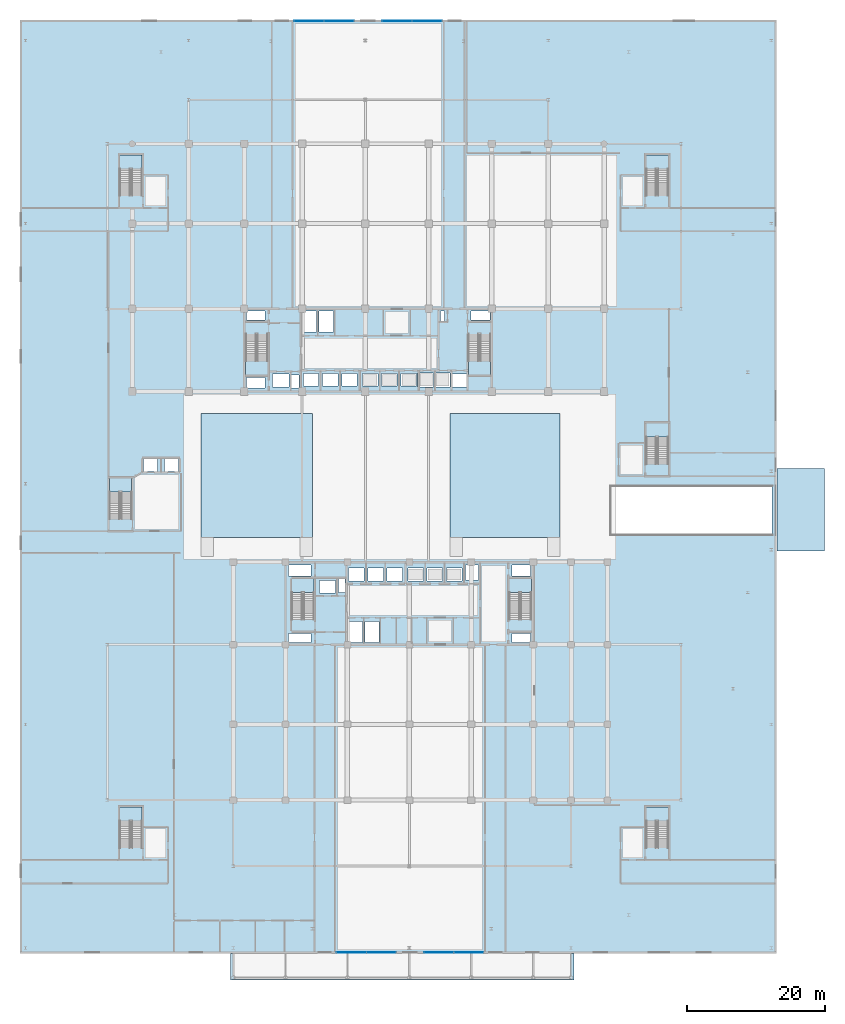
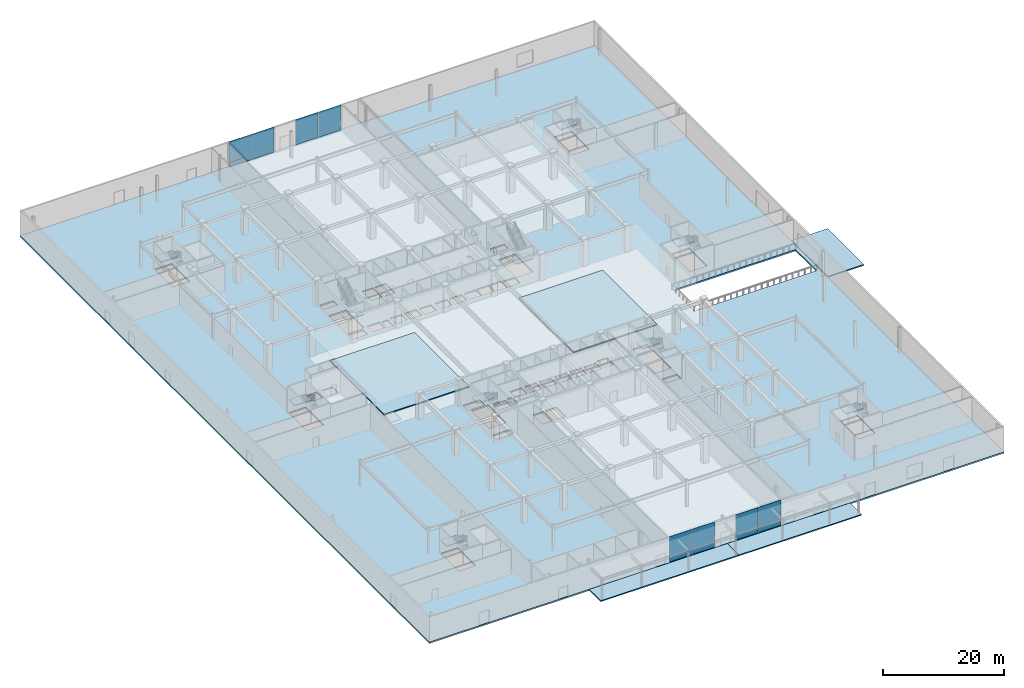
# One storey, part 19 of 46: 16 plates, 16 slabs, 14 elements without a shape of their own.
"""IFC4 building model written with IfcOpenShell, lengths in metres."""

from ifc_helpers import new_model, si_unit, direction, frame, origin, origin_2d, place, context, subcontext, project, spatial, polyline, rectangle, outline, extrude, material, layer, layer_set, type_object, element, aggregate, save


model = new_model("IFC4")

# Units and contexts
model_context = context("Model", 3, precision=1e-05, world=origin(), true_north=direction((0.0, 1.0)))
body_context = subcontext(model_context, "Body", "Model", "MODEL_VIEW")
ifc_project = project(units=[si_unit("LENGTHUNIT", "METRE"), si_unit("AREAUNIT", "SQUARE_METRE"), si_unit("VOLUMEUNIT", "CUBIC_METRE"), si_unit("PLANEANGLEUNIT", "RADIAN"), si_unit("MASSUNIT", "GRAM", prefix="KILO")], contexts=[model_context])

# Site, building, storey
site_placement = place(None, origin())
site = spatial("IfcSite", under=ifc_project, at=site_placement, CompositionType="ELEMENT")
building_placement = place(site_placement, origin())
building = spatial("IfcBuilding", under=site, at=building_placement, Name="Korimba Cascade Residences", CompositionType="ELEMENT")
storey_placement = place(building_placement, origin())
storey = spatial("IfcBuildingStorey", under=building, at=storey_placement, Name="L00", CompositionType="ELEMENT", Elevation=0.0)

# Curtain wall, plates
ifc_material_1 = material(Name="Anodised Aluminium Curtain Wall Framing", Category="aluminium")
ifc_layer_1 = layer(ifc_material_1, 0.179931640625)
ifc_layer_set_1 = layer_set([ifc_layer_1], Name="Anodised Aluminium Curtain Wall Framing")
curtain_wall_type = type_object("IfcCurtainWallType", Name="CW-POD-SYS1", PredefinedType="NOTDEFINED", material=ifc_layer_set_1)
curtain_wall_1_placement = place(storey_placement, origin())
curtain_wall_1 = element("IfcCurtainWall", 1, at=curtain_wall_1_placement, inside=storey, type_object=curtain_wall_type, Name="L00 Curtain Wall CW-L00-POD-S1", PredefinedType="NOTDEFINED")
ifc_material_2 = material(Name="Insulated Stone-Tone Spandrel Panel", Category="masonry")
ifc_layer_2 = layer(ifc_material_2, 0.0400390625)
ifc_layer_set_2 = layer_set([ifc_layer_2], Name="Insulated Stone-Tone Spandrel Panel")
plate_type_1 = type_object("IfcPlateType", Name="CWP-SPN-40", PredefinedType="USERDEFINED", material=ifc_layer_set_2)
plate_1_placement = place(storey_placement, frame((91.695068359375, -26.35009765625, 0.0), z_axis=(0.0, 0.0, 1.0), x_axis=(1.0, 0.0, 0.0)))
plate_1 = element("IfcPlate", 2, at=plate_1_placement, type_object=plate_type_1, Name="CW-L00-POD-S1 Spandrel Panel 1", ObjectType="SPANDREL", PredefinedType="USERDEFINED", context=body_context, shape_type="SweptSolid", body=[
    extrude(rectangle(XDim=4.260009765625, YDim=0.0400390625, at=origin_2d()), origin(), (0.0, 0.0, 1.0), 0.89990234375),
])
plate_2_placement = place(storey_placement, frame((96.0048828125, -26.35009765625, 0.0), z_axis=(0.0, 0.0, 1.0), x_axis=(1.0, 0.0, 0.0)))
plate_2 = element("IfcPlate", 3, at=plate_2_placement, type_object=plate_type_1, Name="CW-L00-POD-S1 Spandrel Panel 2", ObjectType="SPANDREL", PredefinedType="USERDEFINED", context=body_context, shape_type="SweptSolid", body=[
    extrude(rectangle(XDim=4.260009765625, YDim=0.0400390625, at=origin_2d()), origin(), (0.0, 0.0, 1.0), 0.89990234375),
])

curtain_wall_2_placement = place(storey_placement, origin())
curtain_wall_2 = element("IfcCurtainWall", 4, at=curtain_wall_2_placement, inside=storey, type_object=curtain_wall_type, Name="L00 Curtain Wall CW-L00-POD-S2", PredefinedType="NOTDEFINED")
plate_3_placement = place(storey_placement, frame((104.39501953125, -26.35009765625, 0.0), z_axis=(0.0, 0.0, 1.0), x_axis=(1.0, 0.0, 0.0)))
plate_3 = element("IfcPlate", 5, at=plate_3_placement, type_object=plate_type_1, Name="CW-L00-POD-S2 Spandrel Panel 1", ObjectType="SPANDREL", PredefinedType="USERDEFINED", context=body_context, shape_type="SweptSolid", body=[
    extrude(rectangle(XDim=4.260009765625, YDim=0.0400390625, at=origin_2d()), origin(), (0.0, 0.0, 1.0), 0.89990234375),
])
plate_4_placement = place(storey_placement, frame((108.705078125, -26.35009765625, 0.0), z_axis=(0.0, 0.0, 1.0), x_axis=(1.0, 0.0, 0.0)))
plate_4 = element("IfcPlate", 6, at=plate_4_placement, type_object=plate_type_1, Name="CW-L00-POD-S2 Spandrel Panel 2", ObjectType="SPANDREL", PredefinedType="USERDEFINED", context=body_context, shape_type="SweptSolid", body=[
    extrude(rectangle(XDim=4.260009765625, YDim=0.0400390625, at=origin_2d()), origin(), (0.0, 0.0, 1.0), 0.89990234375),
])

curtain_wall_3_placement = place(storey_placement, origin())
curtain_wall_3 = element("IfcCurtainWall", 7, at=curtain_wall_3_placement, inside=storey, type_object=curtain_wall_type, Name="L00 Curtain Wall CW-L00-POD-N1", PredefinedType="NOTDEFINED")
plate_5_placement = place(storey_placement, frame((102.679931640625, 109.050048828125, 0.0), z_axis=(0.0, 0.0, 1.0), x_axis=(-1.0, 0.0, 0.0)))
plate_5 = element("IfcPlate", 8, at=plate_5_placement, type_object=plate_type_1, Name="CW-L00-POD-N1 Spandrel Panel 1", ObjectType="SPANDREL", PredefinedType="USERDEFINED", context=body_context, shape_type="SweptSolid", body=[
    extrude(rectangle(XDim=4.31005859375, YDim=0.0400390625, at=origin_2d()), origin(), (0.0, 0.0, 1.0), 0.89990234375),
])
plate_6_placement = place(storey_placement, frame((98.320068359375, 109.050048828125, 0.0), z_axis=(0.0, 0.0, 1.0), x_axis=(-1.0, 0.0, 0.0)))
plate_6 = element("IfcPlate", 9, at=plate_6_placement, type_object=plate_type_1, Name="CW-L00-POD-N1 Spandrel Panel 2", ObjectType="SPANDREL", PredefinedType="USERDEFINED", context=body_context, shape_type="SweptSolid", body=[
    extrude(rectangle(XDim=4.31005859375, YDim=0.0400390625, at=origin_2d()), origin(), (0.0, 0.0, 1.0), 0.89990234375),
])

curtain_wall_4_placement = place(storey_placement, origin())
curtain_wall_4 = element("IfcCurtainWall", 10, at=curtain_wall_4_placement, inside=storey, type_object=curtain_wall_type, Name="L00 Curtain Wall CW-L00-POD-N2", PredefinedType="NOTDEFINED")
plate_7_placement = place(storey_placement, frame((89.8798828125, 109.050048828125, 0.0), z_axis=(0.0, 0.0, 1.0), x_axis=(-1.0, 0.0, 0.0)))
plate_7 = element("IfcPlate", 11, at=plate_7_placement, type_object=plate_type_1, Name="CW-L00-POD-N2 Spandrel Panel 1", ObjectType="SPANDREL", PredefinedType="USERDEFINED", context=body_context, shape_type="SweptSolid", body=[
    extrude(rectangle(XDim=4.31005859375, YDim=0.0400390625, at=origin_2d()), origin(), (0.0, 0.0, 1.0), 0.89990234375),
])
plate_8_placement = place(storey_placement, frame((85.52001953125, 109.050048828125, 0.0), z_axis=(0.0, 0.0, 1.0), x_axis=(-1.0, 0.0, 0.0)))
plate_8 = element("IfcPlate", 12, at=plate_8_placement, type_object=plate_type_1, Name="CW-L00-POD-N2 Spandrel Panel 2", ObjectType="SPANDREL", PredefinedType="USERDEFINED", context=body_context, shape_type="SweptSolid", body=[
    extrude(rectangle(XDim=4.31005859375, YDim=0.0400390625, at=origin_2d()), origin(), (0.0, 0.0, 1.0), 0.89990234375),
])

# Plate
ifc_material_3 = material(Name="Low-E Double Glazing Unit", Category="glass")
ifc_layer_3 = layer(ifc_material_3, 0.028076171875)
ifc_layer_set_3 = layer_set([ifc_layer_3], Name="Low-E Double Glazing Unit")
plate_type_2 = type_object("IfcPlateType", Name="CWP-VIS-28", PredefinedType="CURTAIN_PANEL", material=ifc_layer_set_3)
plate_9_placement = place(storey_placement, frame((91.695068359375, -26.35009765625, 0.89990234375), z_axis=(0.0, 0.0, 1.0), x_axis=(1.0, 0.0, 0.0)))
plate_9 = element("IfcPlate", 13, at=plate_9_placement, type_object=plate_type_2, Name="CW-L00-POD-S1 Vision Glass Panel 1", PredefinedType="CURTAIN_PANEL", context=body_context, shape_type="SweptSolid", body=[
    extrude(rectangle(XDim=4.260009765625, YDim=0.028076171875, at=origin_2d()), origin(), (0.0, 0.0, 1.0), 4.199951171875),
])

plate_10_placement = place(storey_placement, frame((96.0048828125, -26.35009765625, 0.89990234375), z_axis=(0.0, 0.0, 1.0), x_axis=(1.0, 0.0, 0.0)))
plate_10 = element("IfcPlate", 14, at=plate_10_placement, type_object=plate_type_2, Name="CW-L00-POD-S1 Vision Glass Panel 2", PredefinedType="CURTAIN_PANEL", context=body_context, shape_type="SweptSolid", body=[
    extrude(rectangle(XDim=4.260009765625, YDim=0.028076171875, at=origin_2d()), origin(), (0.0, 0.0, 1.0), 4.199951171875),
])

aggregate(curtain_wall_1, [plate_1, plate_9, plate_2, plate_10])

plate_11_placement = place(storey_placement, frame((104.39501953125, -26.35009765625, 0.89990234375), z_axis=(0.0, 0.0, 1.0), x_axis=(1.0, 0.0, 0.0)))
plate_11 = element("IfcPlate", 15, at=plate_11_placement, type_object=plate_type_2, Name="CW-L00-POD-S2 Vision Glass Panel 1", PredefinedType="CURTAIN_PANEL", context=body_context, shape_type="SweptSolid", body=[
    extrude(rectangle(XDim=4.260009765625, YDim=0.028076171875, at=origin_2d()), origin(), (0.0, 0.0, 1.0), 4.199951171875),
])

plate_12_placement = place(storey_placement, frame((108.705078125, -26.35009765625, 0.89990234375), z_axis=(0.0, 0.0, 1.0), x_axis=(1.0, 0.0, 0.0)))
plate_12 = element("IfcPlate", 16, at=plate_12_placement, type_object=plate_type_2, Name="CW-L00-POD-S2 Vision Glass Panel 2", PredefinedType="CURTAIN_PANEL", context=body_context, shape_type="SweptSolid", body=[
    extrude(rectangle(XDim=4.260009765625, YDim=0.028076171875, at=origin_2d()), origin(), (0.0, 0.0, 1.0), 4.199951171875),
])

aggregate(curtain_wall_2, [plate_3, plate_11, plate_4, plate_12])

plate_13_placement = place(storey_placement, frame((102.679931640625, 109.050048828125, 0.89990234375), z_axis=(0.0, 0.0, 1.0), x_axis=(-1.0, 0.0, 0.0)))
plate_13 = element("IfcPlate", 17, at=plate_13_placement, type_object=plate_type_2, Name="CW-L00-POD-N1 Vision Glass Panel 1", PredefinedType="CURTAIN_PANEL", context=body_context, shape_type="SweptSolid", body=[
    extrude(rectangle(XDim=4.31005859375, YDim=0.028076171875, at=origin_2d()), origin(), (0.0, 0.0, 1.0), 4.199951171875),
])

plate_14_placement = place(storey_placement, frame((98.320068359375, 109.050048828125, 0.89990234375), z_axis=(0.0, 0.0, 1.0), x_axis=(-1.0, 0.0, 0.0)))
plate_14 = element("IfcPlate", 18, at=plate_14_placement, type_object=plate_type_2, Name="CW-L00-POD-N1 Vision Glass Panel 2", PredefinedType="CURTAIN_PANEL", context=body_context, shape_type="SweptSolid", body=[
    extrude(rectangle(XDim=4.31005859375, YDim=0.028076171875, at=origin_2d()), origin(), (0.0, 0.0, 1.0), 4.199951171875),
])

aggregate(curtain_wall_3, [plate_5, plate_13, plate_6, plate_14])

plate_15_placement = place(storey_placement, frame((89.8798828125, 109.050048828125, 0.89990234375), z_axis=(0.0, 0.0, 1.0), x_axis=(-1.0, 0.0, 0.0)))
plate_15 = element("IfcPlate", 19, at=plate_15_placement, type_object=plate_type_2, Name="CW-L00-POD-N2 Vision Glass Panel 1", PredefinedType="CURTAIN_PANEL", context=body_context, shape_type="SweptSolid", body=[
    extrude(rectangle(XDim=4.31005859375, YDim=0.028076171875, at=origin_2d()), origin(), (0.0, 0.0, 1.0), 4.199951171875),
])

plate_16_placement = place(storey_placement, frame((85.52001953125, 109.050048828125, 0.89990234375), z_axis=(0.0, 0.0, 1.0), x_axis=(-1.0, 0.0, 0.0)))
plate_16 = element("IfcPlate", 20, at=plate_16_placement, type_object=plate_type_2, Name="CW-L00-POD-N2 Vision Glass Panel 2", PredefinedType="CURTAIN_PANEL", context=body_context, shape_type="SweptSolid", body=[
    extrude(rectangle(XDim=4.31005859375, YDim=0.028076171875, at=origin_2d()), origin(), (0.0, 0.0, 1.0), 4.199951171875),
])

aggregate(curtain_wall_4, [plate_7, plate_15, plate_8, plate_16])

# Stair, slab
ifc_material_4 = material(Name="Concrete C50/60", Category="concrete")
stair_type_1 = type_object("IfcStairType", Name="STR-W1-30R-1800", PredefinedType="HALF_TURN_STAIR", material=ifc_material_4)
stair_1_placement = place(storey_placement, origin())
stair_1 = element("IfcStair", 21, at=stair_1_placement, inside=storey, type_object=stair_type_1, Name="L00 Tower 1 West Fire Stair ST-W1", PredefinedType="HALF_TURN_STAIR")
ifc_layer_4 = layer(ifc_material_4, 0.199951171875)
ifc_layer_set_4 = layer_set([ifc_layer_4], Name="Concrete C50/60")
slab_type_1 = type_object("IfcSlabType", Name="SLB-LND-220", PredefinedType="LANDING", material=ifc_layer_set_4)
slab_1_placement = place(storey_placement, frame((0.0, 0.0, 2.5)))
slab_1 = element("IfcSlab", 22, at=slab_1_placement, type_object=slab_type_1, Name="ST-W1 landing 1", PredefinedType="LANDING", context=body_context, shape_type="SweptSolid", body=[
    extrude(outline(polyline([(76.300048828125, 59.6298828125), (76.300048828125, 57.60009765625), (79.5400390625, 57.60009765625), (79.5400390625, 59.6298828125), (76.300048828125, 59.6298828125)])), origin(), (0.0, 0.0, 1.0), 0.199951171875),
])
aggregate(stair_1, [slab_1])

stair_type_2 = type_object("IfcStairType", Name="STR-W2-30R-1800", PredefinedType="HALF_TURN_STAIR", material=ifc_material_4)
stair_2_placement = place(storey_placement, origin())
stair_2 = element("IfcStair", 23, at=stair_2_placement, inside=storey, type_object=stair_type_2, Name="L00 Tower 1 East Fire Stair ST-W2", PredefinedType="HALF_TURN_STAIR")
slab_2_placement = place(storey_placement, frame((0.0, 0.0, 2.5)))
slab_2 = element("IfcSlab", 24, at=slab_2_placement, type_object=slab_type_1, Name="ST-W2 landing 1", PredefinedType="LANDING", context=body_context, shape_type="SweptSolid", body=[
    extrude(outline(polyline([(108.659912109375, 59.6298828125), (108.659912109375, 57.60009765625), (111.89990234375, 57.60009765625), (111.89990234375, 59.6298828125), (108.659912109375, 59.6298828125)])), origin(), (0.0, 0.0, 1.0), 0.199951171875),
])
aggregate(stair_2, [slab_2])

stair_type_3 = type_object("IfcStairType", Name="STR-E1-30R-1800", PredefinedType="HALF_TURN_STAIR", material=ifc_material_4)
stair_3_placement = place(storey_placement, origin())
stair_3 = element("IfcStair", 25, at=stair_3_placement, inside=storey, type_object=stair_type_3, Name="L00 Tower 2 West Fire Stair ST-E1", PredefinedType="HALF_TURN_STAIR")
slab_3_placement = place(storey_placement, frame((0.0, 0.0, 2.5)))
slab_3 = element("IfcSlab", 26, at=slab_3_placement, type_object=slab_type_1, Name="ST-E1 landing 1", PredefinedType="LANDING", context=body_context, shape_type="SweptSolid", body=[
    extrude(outline(polyline([(86.239990234375, 25.969970703125), (86.239990234375, 28.0), (83.0, 28.0), (83.0, 25.969970703125), (86.239990234375, 25.969970703125)])), origin(), (0.0, 0.0, 1.0), 0.199951171875),
])
aggregate(stair_3, [slab_3])

stair_type_4 = type_object("IfcStairType", Name="STR-E2-30R-1800", PredefinedType="HALF_TURN_STAIR", material=ifc_material_4)
stair_4_placement = place(storey_placement, origin())
stair_4 = element("IfcStair", 27, at=stair_4_placement, inside=storey, type_object=stair_type_4, Name="L00 Tower 2 East Fire Stair ST-E2", PredefinedType="HALF_TURN_STAIR")
slab_4_placement = place(storey_placement, frame((0.0, 0.0, 2.5)))
slab_4 = element("IfcSlab", 28, at=slab_4_placement, type_object=slab_type_1, Name="ST-E2 landing 1", PredefinedType="LANDING", context=body_context, shape_type="SweptSolid", body=[
    extrude(outline(polyline([(117.840087890625, 25.969970703125), (117.840087890625, 28.0), (114.60009765625, 28.0), (114.60009765625, 25.969970703125), (117.840087890625, 25.969970703125)])), origin(), (0.0, 0.0, 1.0), 0.199951171875),
])
aggregate(stair_4, [slab_4])

stair_type_5 = type_object("IfcStairType", Name="STR-P1-30R-1800", PredefinedType="HALF_TURN_STAIR", material=ifc_material_4)
stair_5_placement = place(storey_placement, origin())
stair_5 = element("IfcStair", 29, at=stair_5_placement, inside=storey, type_object=stair_type_5, Name="L00 Podium West Fire Stair ST-P1", PredefinedType="HALF_TURN_STAIR")
slab_5_placement = place(storey_placement, frame((0.0, 0.0, 2.5)))
slab_5 = element("IfcSlab", 30, at=slab_5_placement, type_object=slab_type_1, Name="ST-P1 landing 1", PredefinedType="LANDING", context=body_context, shape_type="SweptSolid", body=[
    extrude(outline(polyline([(59.739990234375, 40.570068359375), (59.739990234375, 42.60009765625), (56.5, 42.60009765625), (56.5, 40.570068359375), (59.739990234375, 40.570068359375)])), origin(), (0.0, 0.0, 1.0), 0.199951171875),
])
aggregate(stair_5, [slab_5])

stair_type_6 = type_object("IfcStairType", Name="STR-P2-30R-1800", PredefinedType="HALF_TURN_STAIR", material=ifc_material_4)
stair_6_placement = place(storey_placement, origin())
stair_6 = element("IfcStair", 31, at=stair_6_placement, inside=storey, type_object=stair_type_6, Name="L00 Podium East Fire Stair ST-P2", PredefinedType="HALF_TURN_STAIR")
slab_6_placement = place(storey_placement, frame((0.0, 0.0, 2.5)))
slab_6 = element("IfcSlab", 32, at=slab_6_placement, type_object=slab_type_1, Name="ST-P2 landing 1", PredefinedType="LANDING", context=body_context, shape_type="SweptSolid", body=[
    extrude(outline(polyline([(137.739990234375, 48.570068359375), (137.739990234375, 50.60009765625), (134.5, 50.60009765625), (134.5, 48.570068359375), (137.739990234375, 48.570068359375)])), origin(), (0.0, 0.0, 1.0), 0.199951171875),
])
aggregate(stair_6, [slab_6])

stair_type_7 = type_object("IfcStairType", Name="STR-P3-30R-1800", PredefinedType="HALF_TURN_STAIR", material=ifc_material_4)
stair_7_placement = place(storey_placement, origin())
stair_7 = element("IfcStair", 33, at=stair_7_placement, inside=storey, type_object=stair_type_7, Name="L00 Podium South-West Corner Fire Stair ST-P3", PredefinedType="HALF_TURN_STAIR")
slab_7_placement = place(storey_placement, frame((0.0, 0.0, 2.5)))
slab_7 = element("IfcSlab", 34, at=slab_7_placement, type_object=slab_type_1, Name="ST-P3 landing 1", PredefinedType="LANDING", context=body_context, shape_type="SweptSolid", body=[
    extrude(outline(polyline([(61.239990234375, -7.22998046875), (61.239990234375, -5.199951171875), (58.0, -5.199951171875), (58.0, -7.22998046875), (61.239990234375, -7.22998046875)])), origin(), (0.0, 0.0, 1.0), 0.199951171875),
])
aggregate(stair_7, [slab_7])

stair_type_8 = type_object("IfcStairType", Name="STR-P4-30R-1800", PredefinedType="HALF_TURN_STAIR", material=ifc_material_4)
stair_8_placement = place(storey_placement, origin())
stair_8 = element("IfcStair", 35, at=stair_8_placement, inside=storey, type_object=stair_type_8, Name="L00 Podium North-East Corner Fire Stair ST-P4", PredefinedType="HALF_TURN_STAIR")
slab_8_placement = place(storey_placement, frame((0.0, 0.0, 2.5)))
slab_8 = element("IfcSlab", 36, at=slab_8_placement, type_object=slab_type_1, Name="ST-P4 landing 1", PredefinedType="LANDING", context=body_context, shape_type="SweptSolid", body=[
    extrude(outline(polyline([(137.739990234375, 87.570068359375), (137.739990234375, 89.60009765625), (134.5, 89.60009765625), (134.5, 87.570068359375), (137.739990234375, 87.570068359375)])), origin(), (0.0, 0.0, 1.0), 0.199951171875),
])
aggregate(stair_8, [slab_8])

stair_type_9 = type_object("IfcStairType", Name="STR-P5-30R-1800", PredefinedType="HALF_TURN_STAIR", material=ifc_material_4)
stair_9_placement = place(storey_placement, origin())
stair_9 = element("IfcStair", 37, at=stair_9_placement, inside=storey, type_object=stair_type_9, Name="L00 Podium North-West Corner Fire Stair ST-P5", PredefinedType="HALF_TURN_STAIR")
slab_9_placement = place(storey_placement, frame((0.0, 0.0, 2.5)))
slab_9 = element("IfcSlab", 38, at=slab_9_placement, type_object=slab_type_1, Name="ST-P5 landing 1", PredefinedType="LANDING", context=body_context, shape_type="SweptSolid", body=[
    extrude(outline(polyline([(61.239990234375, 87.570068359375), (61.239990234375, 89.60009765625), (58.0, 89.60009765625), (58.0, 87.570068359375), (61.239990234375, 87.570068359375)])), origin(), (0.0, 0.0, 1.0), 0.199951171875),
])
aggregate(stair_9, [slab_9])

stair_type_10 = type_object("IfcStairType", Name="STR-P6-30R-1800", PredefinedType="HALF_TURN_STAIR", material=ifc_material_4)
stair_10_placement = place(storey_placement, origin())
stair_10 = element("IfcStair", 39, at=stair_10_placement, inside=storey, type_object=stair_type_10, Name="L00 Podium South-East Corner Fire Stair ST-P6", PredefinedType="HALF_TURN_STAIR")
slab_10_placement = place(storey_placement, frame((0.0, 0.0, 2.5)))
slab_10 = element("IfcSlab", 40, at=slab_10_placement, type_object=slab_type_1, Name="ST-P6 landing 1", PredefinedType="LANDING", context=body_context, shape_type="SweptSolid", body=[
    extrude(outline(polyline([(137.739990234375, -7.22998046875), (137.739990234375, -5.199951171875), (134.5, -5.199951171875), (134.5, -7.22998046875), (137.739990234375, -7.22998046875)])), origin(), (0.0, 0.0, 1.0), 0.199951171875),
])
aggregate(stair_10, [slab_10])

# Slabs
ifc_material_5 = material(Name="Concrete C40/50", Category="concrete")
ifc_layer_5 = layer(ifc_material_5, 0.219970703125)
ifc_layer_set_5 = layer_set([ifc_layer_5], Name="Concrete C40/50")
slab_type_2 = type_object("IfcSlabType", Name="SLB-PAV-220", PredefinedType="USERDEFINED", material=ifc_layer_set_5)
slab_11_placement = place(storey_placement, frame((0.0, 0.0, -0.219970703125)))
element("IfcSlab", 41, at=slab_11_placement, inside=storey, type_object=slab_type_2, Name="L00 Bluestone Street Plaza and Apron Paving PLZ-S1", ObjectType="PAVING", PredefinedType="USERDEFINED", context=body_context, shape_type="SweptSolid", body=[
    extrude(outline(polyline([(74.10009765625, -30.35009765625), (100.5, -30.35009765625), (100.5, -26.52001953125), (74.10009765625, -26.52001953125), (74.10009765625, -30.35009765625)])), origin(), (0.0, 0.0, 1.0), 0.219970703125),
])
slab_12_placement = place(storey_placement, frame((0.0, 0.0, -0.219970703125)))
element("IfcSlab", 42, at=slab_12_placement, inside=storey, type_object=slab_type_2, Name="L00 Bluestone Street Plaza and Apron Paving PLZ-S2", ObjectType="PAVING", PredefinedType="USERDEFINED", context=body_context, shape_type="SweptSolid", body=[
    extrude(outline(polyline([(100.5, -30.35009765625), (124.0, -30.35009765625), (124.0, -26.52001953125), (100.5, -26.52001953125), (100.5, -30.35009765625)])), origin(), (0.0, 0.0, 1.0), 0.219970703125),
])
slab_13_placement = place(storey_placement, frame((0.0, 0.0, -0.219970703125)))
element("IfcSlab", 43, at=slab_13_placement, inside=storey, type_object=slab_type_2, Name="L00 Bluestone Street Plaza and Apron Paving APR-E1", ObjectType="PAVING", PredefinedType="USERDEFINED", context=body_context, shape_type="SweptSolid", body=[
    extrude(outline(polyline([(153.52001953125, 32.0), (160.449951171875, 32.0), (160.449951171875, 44.0), (153.52001953125, 44.0), (153.52001953125, 32.0)])), origin(), (0.0, 0.0, 1.0), 0.219970703125),
])
slab_14_placement = place(storey_placement, origin())
element("IfcSlab", 44, at=slab_14_placement, inside=storey, type_object=slab_type_2, Name="L00 Central Concourse Sculpture Dais West", ObjectType="PAVING", PredefinedType="USERDEFINED", context=body_context, shape_type="SweptSolid", body=[
    extrude(outline(polyline([(69.800048828125, 34.0), (86.0, 34.0), (86.0, 52.0), (69.800048828125, 52.0), (69.800048828125, 34.0)])), origin(), (0.0, 0.0, 1.0), 0.199951171875),
])
slab_15_placement = place(storey_placement, origin())
element("IfcSlab", 45, at=slab_15_placement, inside=storey, type_object=slab_type_2, Name="L00 Central Concourse Sculpture Dais East", ObjectType="PAVING", PredefinedType="USERDEFINED", context=body_context, shape_type="SweptSolid", body=[
    extrude(outline(polyline([(106.0, 34.0), (122.0, 34.0), (122.0, 52.0), (106.0, 52.0), (106.0, 34.0)])), origin(), (0.0, 0.0, 1.0), 0.199951171875),
])
ifc_layer_6 = layer(ifc_material_4, 0.300048828125)
ifc_layer_set_6 = layer_set([ifc_layer_6], Name="Concrete C50/60")
slab_type_3 = type_object("IfcSlabType", Name="SLB-POD-300", PredefinedType="FLOOR", material=ifc_layer_set_6)
slab_16_placement = place(storey_placement, frame((0.0, 0.0, -0.300048828125)))
element("IfcSlab", 46, at=slab_16_placement, inside=storey, type_object=slab_type_3, Name="L00 Podium Floor Slab", PredefinedType="FLOOR", context=body_context, shape_type="SweptSolid", body=[
    extrude(outline(polyline([(43.5, -26.5), (153.5, -26.5), (153.5, 109.199951171875), (43.5, 109.199951171875), (43.5, -26.5)]), holes=[polyline([(76.300048828125, 63.514892578125), (76.300048828125, 57.60009765625), (79.5400390625, 57.60009765625), (79.5400390625, 63.514892578125), (76.300048828125, 63.514892578125)]), polyline([(108.659912109375, 63.514892578125), (108.659912109375, 57.60009765625), (111.89990234375, 57.60009765625), (111.89990234375, 63.514892578125), (108.659912109375, 63.514892578125)]), polyline([(86.239990234375, 22.0849609375), (86.239990234375, 28.0), (83.0, 28.0), (83.0, 22.0849609375), (86.239990234375, 22.0849609375)]), polyline([(117.840087890625, 22.0849609375), (117.840087890625, 28.0), (114.60009765625, 28.0), (114.60009765625, 22.0849609375), (117.840087890625, 22.0849609375)]), polyline([(59.739990234375, 36.68505859375), (59.739990234375, 42.60009765625), (56.5, 42.60009765625), (56.5, 36.68505859375), (59.739990234375, 36.68505859375)]), polyline([(137.739990234375, 44.68505859375), (137.739990234375, 50.60009765625), (134.5, 50.60009765625), (134.5, 44.68505859375), (137.739990234375, 44.68505859375)]), polyline([(61.239990234375, -11.114990234375), (61.239990234375, -5.199951171875), (58.0, -5.199951171875), (58.0, -11.114990234375), (61.239990234375, -11.114990234375)]), polyline([(137.739990234375, 83.68505859375), (137.739990234375, 89.60009765625), (134.5, 89.60009765625), (134.5, 83.68505859375), (137.739990234375, 83.68505859375)]), polyline([(61.239990234375, 83.68505859375), (61.239990234375, 89.60009765625), (58.0, 89.60009765625), (58.0, 83.68505859375), (61.239990234375, 83.68505859375)]), polyline([(137.739990234375, -11.114990234375), (137.739990234375, -5.199951171875), (134.5, -5.199951171875), (134.5, -11.114990234375), (137.739990234375, -11.114990234375)]), polyline([(80.22998046875, 55.8798828125), (82.570068359375, 55.8798828125), (82.570068359375, 57.719970703125), (80.22998046875, 57.719970703125), (80.22998046875, 55.8798828125)]), polyline([(106.080078125, 55.8798828125), (108.419921875, 55.8798828125), (108.419921875, 57.719970703125), (106.080078125, 57.719970703125), (106.080078125, 55.8798828125)]), polyline([(87.030029296875, 25.8798828125), (89.3701171875, 25.8798828125), (89.3701171875, 27.719970703125), (87.030029296875, 27.719970703125), (87.030029296875, 25.8798828125)]), polyline([(84.679931640625, 55.97998046875), (86.919921875, 55.97998046875), (86.919921875, 57.820068359375), (84.679931640625, 57.820068359375), (84.679931640625, 55.97998046875)]), polyline([(87.47998046875, 55.97998046875), (89.719970703125, 55.97998046875), (89.719970703125, 57.820068359375), (87.47998046875, 57.820068359375), (87.47998046875, 55.97998046875)]), polyline([(90.280029296875, 55.97998046875), (92.52001953125, 55.97998046875), (92.52001953125, 57.820068359375), (90.280029296875, 57.820068359375), (90.280029296875, 55.97998046875)]), polyline([(93.280029296875, 55.97998046875), (95.52001953125, 55.97998046875), (95.52001953125, 57.820068359375), (93.280029296875, 57.820068359375), (93.280029296875, 55.97998046875)]), polyline([(96.080078125, 55.97998046875), (98.320068359375, 55.97998046875), (98.320068359375, 57.820068359375), (96.080078125, 57.820068359375), (96.080078125, 55.97998046875)]), polyline([(98.8798828125, 55.97998046875), (101.1201171875, 55.97998046875), (101.1201171875, 57.820068359375), (98.8798828125, 57.820068359375), (98.8798828125, 55.97998046875)]), polyline([(101.304931640625, 55.8798828125), (103.594970703125, 55.8798828125), (103.594970703125, 57.919921875), (101.304931640625, 57.919921875), (101.304931640625, 55.8798828125)]), polyline([(103.705078125, 55.8798828125), (105.9951171875, 55.8798828125), (105.9951171875, 57.919921875), (103.705078125, 57.919921875), (103.705078125, 55.8798828125)]), polyline([(91.280029296875, 27.679931640625), (93.52001953125, 27.679931640625), (93.52001953125, 29.52001953125), (91.280029296875, 29.52001953125), (91.280029296875, 27.679931640625)]), polyline([(94.080078125, 27.679931640625), (96.320068359375, 27.679931640625), (96.320068359375, 29.52001953125), (94.080078125, 29.52001953125), (94.080078125, 27.679931640625)]), polyline([(96.8798828125, 27.679931640625), (99.1201171875, 27.679931640625), (99.1201171875, 29.52001953125), (96.8798828125, 29.52001953125), (96.8798828125, 27.679931640625)]), polyline([(99.8798828125, 27.679931640625), (102.1201171875, 27.679931640625), (102.1201171875, 29.52001953125), (99.8798828125, 29.52001953125), (99.8798828125, 27.679931640625)]), polyline([(102.679931640625, 27.679931640625), (104.919921875, 27.679931640625), (104.919921875, 29.52001953125), (102.679931640625, 29.52001953125), (102.679931640625, 27.679931640625)]), polyline([(105.47998046875, 27.679931640625), (107.719970703125, 27.679931640625), (107.719970703125, 29.52001953125), (105.47998046875, 29.52001953125), (105.47998046875, 27.679931640625)]), polyline([(61.47998046875, 43.580078125), (63.52001953125, 43.580078125), (63.52001953125, 45.419921875), (61.47998046875, 45.419921875), (61.47998046875, 43.580078125)]), polyline([(64.47998046875, 43.580078125), (66.52001953125, 43.580078125), (66.52001953125, 45.419921875), (64.47998046875, 45.419921875), (64.47998046875, 43.580078125)]), polyline([(82.97998046875, 55.679931640625), (84.080078125, 55.679931640625), (84.080078125, 57.6201171875), (82.97998046875, 57.6201171875), (82.97998046875, 55.679931640625)]), polyline([(76.39990234375, 65.56005859375), (79.10009765625, 65.56005859375), (79.10009765625, 66.8798828125), (76.39990234375, 66.8798828125), (76.39990234375, 65.56005859375)]), polyline([(76.39990234375, 55.679931640625), (79.10009765625, 55.679931640625), (79.10009765625, 57.239990234375), (76.39990234375, 57.239990234375), (76.39990234375, 55.679931640625)]), polyline([(84.530029296875, 63.820068359375), (86.6201171875, 63.820068359375), (86.6201171875, 66.8798828125), (84.530029296875, 66.8798828125), (84.530029296875, 63.820068359375)]), polyline([(86.97998046875, 63.820068359375), (89.070068359375, 63.820068359375), (89.070068359375, 66.8798828125), (86.97998046875, 66.8798828125), (86.97998046875, 63.820068359375)]), polyline([(104.6201171875, 65.4599609375), (105.179931640625, 65.4599609375), (105.179931640625, 66.8798828125), (104.6201171875, 66.8798828125), (104.6201171875, 65.4599609375)]), polyline([(109.080078125, 65.56005859375), (111.800048828125, 65.56005859375), (111.800048828125, 66.8798828125), (109.080078125, 66.8798828125), (109.080078125, 65.56005859375)]), polyline([(89.780029296875, 25.97998046875), (90.719970703125, 25.97998046875), (90.719970703125, 27.919921875), (89.780029296875, 27.919921875), (89.780029296875, 25.97998046875)]), polyline([(82.530029296875, 18.72998046875), (85.800048828125, 18.72998046875), (85.800048828125, 20.0400390625), (82.530029296875, 20.0400390625), (82.530029296875, 18.72998046875)]), polyline([(82.530029296875, 28.360107421875), (85.800048828125, 28.360107421875), (85.800048828125, 29.969970703125), (82.530029296875, 29.969970703125), (82.530029296875, 28.360107421875)]), polyline([(108.22998046875, 27.780029296875), (110.1201171875, 27.780029296875), (110.1201171875, 29.969970703125), (108.22998046875, 29.969970703125), (108.22998046875, 27.780029296875)]), polyline([(91.22998046875, 18.72998046875), (93.27001953125, 18.72998046875), (93.27001953125, 21.780029296875), (91.22998046875, 21.780029296875), (91.22998046875, 18.72998046875)]), polyline([(93.6298828125, 18.72998046875), (95.719970703125, 18.72998046875), (95.719970703125, 21.780029296875), (93.6298828125, 21.780029296875), (93.6298828125, 18.72998046875)]), polyline([(115.02001953125, 18.72998046875), (117.739990234375, 18.72998046875), (117.739990234375, 20.0400390625), (115.02001953125, 20.0400390625), (115.02001953125, 18.72998046875)]), polyline([(115.02001953125, 28.360107421875), (117.739990234375, 28.360107421875), (117.739990234375, 29.969970703125), (115.02001953125, 29.969970703125), (115.02001953125, 28.360107421875)]), polyline([(129.39990234375, 34.39990234375), (152.800048828125, 34.39990234375), (152.800048828125, 41.39990234375), (129.39990234375, 41.39990234375), (129.39990234375, 34.39990234375)])]), origin(), (0.0, 0.0, 1.0), 0.300048828125),
])

save(model, "model.ifc")
